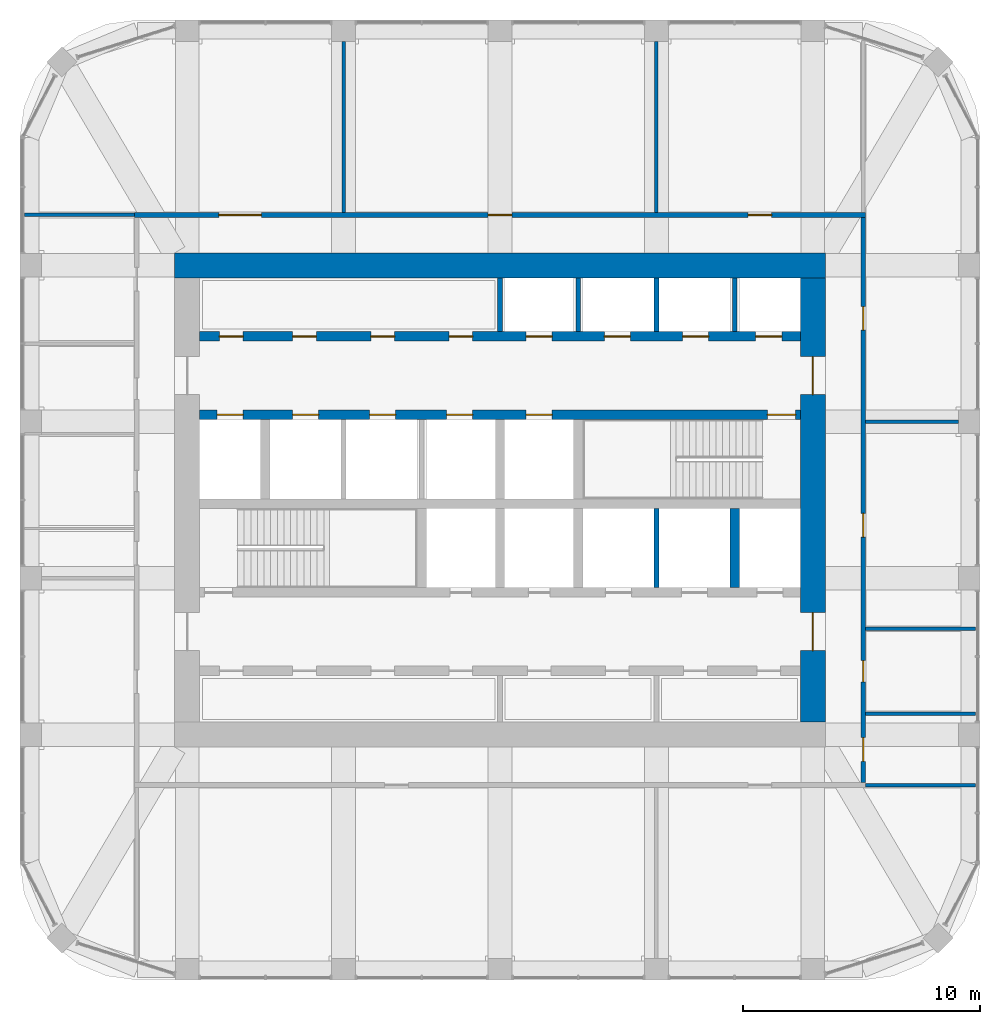
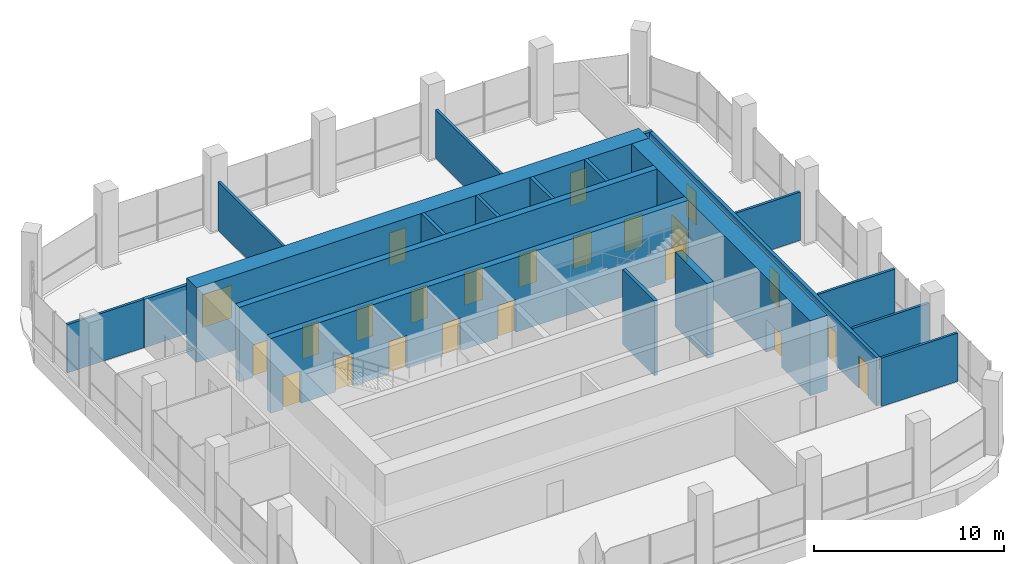
# One storey, part 10 of 13: 23 doors, 19 walls, 23 openings.
"""IFC4 building model written with IfcOpenShell, lengths in metres."""

from ifc_helpers import new_model, si_unit, direction, frame, frame_2d, origin, place, context, subcontext, project, spatial, rectangle, extrude, material, layer, layer_set, type_object, element, fill, save


model = new_model("IFC4")

# Units and contexts
model_context = context("Model", 3, precision=1e-05, world=origin(), true_north=direction((0.0, 1.0)))
body_context = subcontext(model_context, "Body", "Model", "MODEL_VIEW")
ifc_project = project(units=[si_unit("LENGTHUNIT", "METRE"), si_unit("AREAUNIT", "SQUARE_METRE"), si_unit("VOLUMEUNIT", "CUBIC_METRE"), si_unit("PLANEANGLEUNIT", "RADIAN"), si_unit("MASSUNIT", "GRAM", prefix="KILO")], contexts=[model_context])

# Site, building, storey
site_placement = place(None, origin())
site = spatial("IfcSite", under=ifc_project, at=site_placement, CompositionType="ELEMENT")
building_placement = place(site_placement, origin())
building = spatial("IfcBuilding", under=site, at=building_placement, Name="Cobogo Forest Laboratory Tower", CompositionType="ELEMENT")
storey_placement = place(building_placement, frame((0.0, 0.0, 288.0)))
storey = spatial("IfcBuildingStorey", under=building, at=storey_placement, Name="L66", CompositionType="ELEMENT", Elevation=288.0)

# Wall, openings, doors
ifc_material_1 = material(Name="Concrete HA-50 (C50/60)", Category="concrete")
ifc_layer_1 = layer(ifc_material_1, 0.39990234375)
ifc_layer_set_1 = layer_set([ifc_layer_1], Name="CI400 core inner wall 400")
wall_type_1 = type_object("IfcWallType", Name="CI400 core inner wall 400", PredefinedType="SHEAR", material=ifc_layer_set_1)
wall_1_placement = place(storey_placement, frame((13.72509765625, 26.699951171875, 0.0), z_axis=(0.0, 0.0, 1.0), x_axis=(1.0, 0.0, 0.0)))
wall_1 = element("IfcWall", 1, at=wall_1_placement, inside=storey, type_object=wall_type_1, Name="Core wall CI-26.7 L66", PredefinedType="SHEAR", context=body_context, shape_type="SweptSolid", body=[
    extrude(rectangle(XDim=25.349853515625, YDim=0.39990234375, at=frame_2d((12.6748046875, 0.0))), origin(), (0.0, 0.0, 1.0), 4.800048828125),
])
opening_1_placement = place(wall_1_placement, frame((23.949951171875, 0.0, 0.0)))
opening_1 = element("IfcOpeningElement", 2, at=opening_1_placement, cuts=wall_1, Name="Opening L66-D22", PredefinedType="OPENING", context=body_context, shape_type="SweptSolid", body=[
    extrude(rectangle(XDim=1.199951171875, YDim=2.10009765625, at=frame_2d((0.60009765625, 1.050048828125))), frame((0.0, 0.2099609375, 0.0), z_axis=(0.0, -1.0, 0.0), x_axis=(1.0, 0.0, 0.0)), (0.0, 0.0, 1.0), 0.419921875),
])
opening_2_placement = place(wall_1_placement, frame((0.737548828125, 0.0, 0.0)))
opening_2 = element("IfcOpeningElement", 3, at=opening_2_placement, cuts=wall_1, Name="Opening L66-LD-FL1", PredefinedType="OPENING", context=body_context, shape_type="SweptSolid", body=[
    extrude(rectangle(XDim=1.10009765625, YDim=2.10009765625, at=frame_2d((0.550048828125, 1.050048828125))), frame((0.0, 0.2099609375, 0.0), z_axis=(0.0, -1.0, 0.0), x_axis=(1.0, 0.0, 0.0)), (0.0, 0.0, 1.0), 0.419921875),
])
opening_3_placement = place(wall_1_placement, frame((3.925048828125, 0.0, 0.0)))
opening_3 = element("IfcOpeningElement", 4, at=opening_3_placement, cuts=wall_1, Name="Opening L66-LD-LS3", PredefinedType="OPENING", context=body_context, shape_type="SweptSolid", body=[
    extrude(rectangle(XDim=1.10009765625, YDim=2.10009765625, at=frame_2d((0.550048828125, 1.050048828125))), frame((0.0, 0.2099609375, 0.0), z_axis=(0.0, -1.0, 0.0), x_axis=(1.0, 0.0, 0.0)), (0.0, 0.0, 1.0), 0.419921875),
])
opening_4_placement = place(wall_1_placement, frame((7.175048828125, 0.0, 0.0)))
opening_4 = element("IfcOpeningElement", 5, at=opening_4_placement, cuts=wall_1, Name="Opening L66-LD-LS4", PredefinedType="OPENING", context=body_context, shape_type="SweptSolid", body=[
    extrude(rectangle(XDim=1.10009765625, YDim=2.10009765625, at=frame_2d((0.550048828125, 1.050048828125))), frame((0.0, 0.2099609375, 0.0), z_axis=(0.0, -1.0, 0.0), x_axis=(1.0, 0.0, 0.0)), (0.0, 0.0, 1.0), 0.419921875),
])
opening_5_placement = place(wall_1_placement, frame((10.425048828125, 0.0, 0.0)))
opening_5 = element("IfcOpeningElement", 6, at=opening_5_placement, cuts=wall_1, Name="Opening L66-LD-LS5", PredefinedType="OPENING", context=body_context, shape_type="SweptSolid", body=[
    extrude(rectangle(XDim=1.10009765625, YDim=2.10009765625, at=frame_2d((0.550048828125, 1.050048828125))), frame((0.0, 0.2099609375, 0.0), z_axis=(0.0, -1.0, 0.0), x_axis=(1.0, 0.0, 0.0)), (0.0, 0.0, 1.0), 0.419921875),
])
opening_6_placement = place(wall_1_placement, frame((13.77490234375, 0.0, 0.0)))
opening_6 = element("IfcOpeningElement", 7, at=opening_6_placement, cuts=wall_1, Name="Opening L66-LD-LS6", PredefinedType="OPENING", context=body_context, shape_type="SweptSolid", body=[
    extrude(rectangle(XDim=1.10009765625, YDim=2.10009765625, at=frame_2d((0.550048828125, 1.050048828125))), frame((0.0, 0.2099609375, 0.0), z_axis=(0.0, -1.0, 0.0), x_axis=(1.0, 0.0, 0.0)), (0.0, 0.0, 1.0), 0.419921875),
])
ifc_material_2 = material(Name="Steel fire door", Category="steel")
door_type_1 = type_object("IfcDoorType", Name="DS1 protected stair door 1200 EI2 60", OperationType="SINGLE_SWING_LEFT", PredefinedType="DOOR", material=ifc_material_2)
door_1_placement = place(opening_1_placement, origin())
door_1 = element("IfcDoor", 8, at=door_1_placement, inside=storey, type_object=door_type_1, Name="Door L66-ST2", OperationType="SINGLE_SWING_RIGHT", OverallHeight=2.10009765625, OverallWidth=1.199951171875, PredefinedType="DOOR", context=body_context, shape_type="SweptSolid", body=[
    extrude(rectangle(XDim=1.199951171875, YDim=2.10009765625, at=frame_2d((0.60009765625, 1.050048828125))), frame((0.0, 0.02490234375, 0.0), z_axis=(0.0, -1.0, 0.0), x_axis=(1.0, 0.0, 0.0)), (0.0, 0.0, 1.0), 0.050048828125),
])
fill(opening_1, door_1)
ifc_material_3 = material(Name="Stainless steel lift door", Category="steel")
door_type_2 = type_object("IfcDoorType", Name="LD lift landing door 1100", OperationType="DOUBLE_DOOR_SLIDING", PredefinedType="DOOR", material=ifc_material_3)
door_2_placement = place(opening_2_placement, origin())
door_2 = element("IfcDoor", 9, at=door_2_placement, inside=storey, type_object=door_type_2, Name="Lift landing door FL1 L66", OperationType="DOUBLE_DOOR_SLIDING", OverallHeight=2.10009765625, OverallWidth=1.10009765625, PredefinedType="DOOR", context=body_context, shape_type="SweptSolid", body=[
    extrude(rectangle(XDim=1.10009765625, YDim=2.10009765625, at=frame_2d((0.550048828125, 1.050048828125))), frame((0.0, 0.02490234375, 0.0), z_axis=(0.0, -1.0, 0.0), x_axis=(1.0, 0.0, 0.0)), (0.0, 0.0, 1.0), 0.050048828125),
])
fill(opening_2, door_2)
door_3_placement = place(opening_3_placement, origin())
door_3 = element("IfcDoor", 10, at=door_3_placement, inside=storey, type_object=door_type_2, Name="Lift landing door LS3 L66", OperationType="DOUBLE_DOOR_SLIDING", OverallHeight=2.10009765625, OverallWidth=1.10009765625, PredefinedType="DOOR", context=body_context, shape_type="SweptSolid", body=[
    extrude(rectangle(XDim=1.10009765625, YDim=2.10009765625, at=frame_2d((0.550048828125, 1.050048828125))), frame((0.0, 0.02490234375, 0.0), z_axis=(0.0, -1.0, 0.0), x_axis=(1.0, 0.0, 0.0)), (0.0, 0.0, 1.0), 0.050048828125),
])
fill(opening_3, door_3)
door_4_placement = place(opening_4_placement, origin())
door_4 = element("IfcDoor", 11, at=door_4_placement, inside=storey, type_object=door_type_2, Name="Lift landing door LS4 L66", OperationType="DOUBLE_DOOR_SLIDING", OverallHeight=2.10009765625, OverallWidth=1.10009765625, PredefinedType="DOOR", context=body_context, shape_type="SweptSolid", body=[
    extrude(rectangle(XDim=1.10009765625, YDim=2.10009765625, at=frame_2d((0.550048828125, 1.050048828125))), frame((0.0, 0.02490234375, 0.0), z_axis=(0.0, -1.0, 0.0), x_axis=(1.0, 0.0, 0.0)), (0.0, 0.0, 1.0), 0.050048828125),
])
fill(opening_4, door_4)
door_5_placement = place(opening_5_placement, origin())
door_5 = element("IfcDoor", 12, at=door_5_placement, inside=storey, type_object=door_type_2, Name="Lift landing door LS5 L66", OperationType="DOUBLE_DOOR_SLIDING", OverallHeight=2.10009765625, OverallWidth=1.10009765625, PredefinedType="DOOR", context=body_context, shape_type="SweptSolid", body=[
    extrude(rectangle(XDim=1.10009765625, YDim=2.10009765625, at=frame_2d((0.550048828125, 1.050048828125))), frame((0.0, 0.02490234375, 0.0), z_axis=(0.0, -1.0, 0.0), x_axis=(1.0, 0.0, 0.0)), (0.0, 0.0, 1.0), 0.050048828125),
])
fill(opening_5, door_5)
door_6_placement = place(opening_6_placement, origin())
door_6 = element("IfcDoor", 13, at=door_6_placement, inside=storey, type_object=door_type_2, Name="Lift landing door LS6 L66", OperationType="DOUBLE_DOOR_SLIDING", OverallHeight=2.10009765625, OverallWidth=1.10009765625, PredefinedType="DOOR", context=body_context, shape_type="SweptSolid", body=[
    extrude(rectangle(XDim=1.10009765625, YDim=2.10009765625, at=frame_2d((0.550048828125, 1.050048828125))), frame((0.0, 0.02490234375, 0.0), z_axis=(0.0, -1.0, 0.0), x_axis=(1.0, 0.0, 0.0)), (0.0, 0.0, 1.0), 0.050048828125),
])
fill(opening_6, door_6)

wall_2_placement = place(storey_placement, frame((13.72509765625, 30.0, 0.0), z_axis=(0.0, 0.0, 1.0), x_axis=(1.0, 0.0, 0.0)))
wall_2 = element("IfcWall", 14, at=wall_2_placement, inside=storey, type_object=wall_type_1, Name="Core wall CI-30.0 L66", PredefinedType="SHEAR", context=body_context, shape_type="SweptSolid", body=[
    extrude(rectangle(XDim=25.349853515625, YDim=0.39990234375, at=frame_2d((12.6748046875, 0.0))), origin(), (0.0, 0.0, 1.0), 4.800048828125),
])
opening_7_placement = place(wall_2_placement, frame((0.83740234375, 0.0, 0.0)))
opening_7 = element("IfcOpeningElement", 15, at=opening_7_placement, cuts=wall_2, Name="Opening L66-D26", PredefinedType="OPENING", context=body_context, shape_type="SweptSolid", body=[
    extrude(rectangle(XDim=1.0, YDim=2.10009765625, at=frame_2d((0.5, 1.050048828125))), frame((0.0, 0.2099609375, 0.0), z_axis=(0.0, -1.0, 0.0), x_axis=(1.0, 0.0, 0.0)), (0.0, 0.0, 1.0), 0.419921875),
])
opening_8_placement = place(wall_2_placement, frame((3.925048828125, 0.0, 0.0)))
opening_8 = element("IfcOpeningElement", 16, at=opening_8_placement, cuts=wall_2, Name="Opening L66-D27", PredefinedType="OPENING", context=body_context, shape_type="SweptSolid", body=[
    extrude(rectangle(XDim=1.0, YDim=2.10009765625, at=frame_2d((0.5, 1.050048828125))), frame((0.0, 0.2099609375, 0.0), z_axis=(0.0, -1.0, 0.0), x_axis=(1.0, 0.0, 0.0)), (0.0, 0.0, 1.0), 0.419921875),
])
opening_9_placement = place(wall_2_placement, frame((7.22509765625, 0.0, 0.0)))
opening_9 = element("IfcOpeningElement", 17, at=opening_9_placement, cuts=wall_2, Name="Opening L66-D28", PredefinedType="OPENING", context=body_context, shape_type="SweptSolid", body=[
    extrude(rectangle(XDim=1.0, YDim=2.10009765625, at=frame_2d((0.5, 1.050048828125))), frame((0.0, 0.2099609375, 0.0), z_axis=(0.0, -1.0, 0.0), x_axis=(1.0, 0.0, 0.0)), (0.0, 0.0, 1.0), 0.419921875),
])
opening_10_placement = place(wall_2_placement, frame((10.52490234375, 0.0, 0.0)))
opening_10 = element("IfcOpeningElement", 18, at=opening_10_placement, cuts=wall_2, Name="Opening L66-D29", PredefinedType="OPENING", context=body_context, shape_type="SweptSolid", body=[
    extrude(rectangle(XDim=1.0, YDim=2.10009765625, at=frame_2d((0.5, 1.050048828125))), frame((0.0, 0.2099609375, 0.0), z_axis=(0.0, -1.0, 0.0), x_axis=(1.0, 0.0, 0.0)), (0.0, 0.0, 1.0), 0.419921875),
])
opening_11_placement = place(wall_2_placement, frame((13.77490234375, 0.0, 0.0)))
opening_11 = element("IfcOpeningElement", 19, at=opening_11_placement, cuts=wall_2, Name="Opening L66-LD-LD1", PredefinedType="OPENING", context=body_context, shape_type="SweptSolid", body=[
    extrude(rectangle(XDim=1.10009765625, YDim=2.10009765625, at=frame_2d((0.550048828125, 1.050048828125))), frame((0.0, 0.2099609375, 0.0), z_axis=(0.0, -1.0, 0.0), x_axis=(1.0, 0.0, 0.0)), (0.0, 0.0, 1.0), 0.419921875),
])
opening_12_placement = place(wall_2_placement, frame((17.074951171875, 0.0, 0.0)))
opening_12 = element("IfcOpeningElement", 20, at=opening_12_placement, cuts=wall_2, Name="Opening L66-LD-LD2", PredefinedType="OPENING", context=body_context, shape_type="SweptSolid", body=[
    extrude(rectangle(XDim=1.10009765625, YDim=2.10009765625, at=frame_2d((0.550048828125, 1.050048828125))), frame((0.0, 0.2099609375, 0.0), z_axis=(0.0, -1.0, 0.0), x_axis=(1.0, 0.0, 0.0)), (0.0, 0.0, 1.0), 0.419921875),
])
opening_13_placement = place(wall_2_placement, frame((20.375, 0.0, 0.0)))
opening_13 = element("IfcOpeningElement", 21, at=opening_13_placement, cuts=wall_2, Name="Opening L66-LD-LD3", PredefinedType="OPENING", context=body_context, shape_type="SweptSolid", body=[
    extrude(rectangle(XDim=1.10009765625, YDim=2.10009765625, at=frame_2d((0.550048828125, 1.050048828125))), frame((0.0, 0.2099609375, 0.0), z_axis=(0.0, -1.0, 0.0), x_axis=(1.0, 0.0, 0.0)), (0.0, 0.0, 1.0), 0.419921875),
])
opening_14_placement = place(wall_2_placement, frame((23.46240234375, 0.0, 0.0)))
opening_14 = element("IfcOpeningElement", 22, at=opening_14_placement, cuts=wall_2, Name="Opening L66-LD-LD4", PredefinedType="OPENING", context=body_context, shape_type="SweptSolid", body=[
    extrude(rectangle(XDim=1.10009765625, YDim=2.10009765625, at=frame_2d((0.550048828125, 1.050048828125))), frame((0.0, 0.2099609375, 0.0), z_axis=(0.0, -1.0, 0.0), x_axis=(1.0, 0.0, 0.0)), (0.0, 0.0, 1.0), 0.419921875),
])
door_type_3 = type_object("IfcDoorType", Name="FD1 fire door 1000 EI2 60", OperationType="SINGLE_SWING_LEFT", PredefinedType="DOOR", material=ifc_material_2)
door_7_placement = place(opening_7_placement, origin())
door_7 = element("IfcDoor", 23, at=door_7_placement, inside=storey, type_object=door_type_3, Name="Door L66-SH-LC1", OperationType="SINGLE_SWING_LEFT", OverallHeight=2.10009765625, OverallWidth=1.0, PredefinedType="DOOR", context=body_context, shape_type="SweptSolid", body=[
    extrude(rectangle(XDim=1.0, YDim=2.10009765625, at=frame_2d((0.5, 1.050048828125))), frame((0.0, 0.02490234375, 0.0), z_axis=(0.0, -1.0, 0.0), x_axis=(1.0, 0.0, 0.0)), (0.0, 0.0, 1.0), 0.050048828125),
])
fill(opening_7, door_7)
door_8_placement = place(opening_8_placement, origin())
door_8 = element("IfcDoor", 24, at=door_8_placement, inside=storey, type_object=door_type_3, Name="Door L66-SH-LC2", OperationType="SINGLE_SWING_LEFT", OverallHeight=2.10009765625, OverallWidth=1.0, PredefinedType="DOOR", context=body_context, shape_type="SweptSolid", body=[
    extrude(rectangle(XDim=1.0, YDim=2.10009765625, at=frame_2d((0.5, 1.050048828125))), frame((0.0, 0.02490234375, 0.0), z_axis=(0.0, -1.0, 0.0), x_axis=(1.0, 0.0, 0.0)), (0.0, 0.0, 1.0), 0.050048828125),
])
fill(opening_8, door_8)
door_9_placement = place(opening_9_placement, origin())
door_9 = element("IfcDoor", 25, at=door_9_placement, inside=storey, type_object=door_type_3, Name="Door L66-SH-LC3", OperationType="SINGLE_SWING_LEFT", OverallHeight=2.10009765625, OverallWidth=1.0, PredefinedType="DOOR", context=body_context, shape_type="SweptSolid", body=[
    extrude(rectangle(XDim=1.0, YDim=2.10009765625, at=frame_2d((0.5, 1.050048828125))), frame((0.0, 0.02490234375, 0.0), z_axis=(0.0, -1.0, 0.0), x_axis=(1.0, 0.0, 0.0)), (0.0, 0.0, 1.0), 0.050048828125),
])
fill(opening_9, door_9)
door_10_placement = place(opening_10_placement, origin())
door_10 = element("IfcDoor", 26, at=door_10_placement, inside=storey, type_object=door_type_3, Name="Door L66-SH-LC4", OperationType="SINGLE_SWING_LEFT", OverallHeight=2.10009765625, OverallWidth=1.0, PredefinedType="DOOR", context=body_context, shape_type="SweptSolid", body=[
    extrude(rectangle(XDim=1.0, YDim=2.10009765625, at=frame_2d((0.5, 1.050048828125))), frame((0.0, 0.02490234375, 0.0), z_axis=(0.0, -1.0, 0.0), x_axis=(1.0, 0.0, 0.0)), (0.0, 0.0, 1.0), 0.050048828125),
])
fill(opening_10, door_10)
door_11_placement = place(opening_11_placement, origin())
door_11 = element("IfcDoor", 27, at=door_11_placement, inside=storey, type_object=door_type_2, Name="Lift landing door LD1 L66", OperationType="DOUBLE_DOOR_SLIDING", OverallHeight=2.10009765625, OverallWidth=1.10009765625, PredefinedType="DOOR", context=body_context, shape_type="SweptSolid", body=[
    extrude(rectangle(XDim=1.10009765625, YDim=2.10009765625, at=frame_2d((0.550048828125, 1.050048828125))), frame((0.0, 0.02490234375, 0.0), z_axis=(0.0, -1.0, 0.0), x_axis=(1.0, 0.0, 0.0)), (0.0, 0.0, 1.0), 0.050048828125),
])
fill(opening_11, door_11)
door_12_placement = place(opening_12_placement, origin())
door_12 = element("IfcDoor", 28, at=door_12_placement, inside=storey, type_object=door_type_2, Name="Lift landing door LD2 L66", OperationType="DOUBLE_DOOR_SLIDING", OverallHeight=2.10009765625, OverallWidth=1.10009765625, PredefinedType="DOOR", context=body_context, shape_type="SweptSolid", body=[
    extrude(rectangle(XDim=1.10009765625, YDim=2.10009765625, at=frame_2d((0.550048828125, 1.050048828125))), frame((0.0, 0.02490234375, 0.0), z_axis=(0.0, -1.0, 0.0), x_axis=(1.0, 0.0, 0.0)), (0.0, 0.0, 1.0), 0.050048828125),
])
fill(opening_12, door_12)
door_13_placement = place(opening_13_placement, origin())
door_13 = element("IfcDoor", 29, at=door_13_placement, inside=storey, type_object=door_type_2, Name="Lift landing door LD3 L66", OperationType="DOUBLE_DOOR_SLIDING", OverallHeight=2.10009765625, OverallWidth=1.10009765625, PredefinedType="DOOR", context=body_context, shape_type="SweptSolid", body=[
    extrude(rectangle(XDim=1.10009765625, YDim=2.10009765625, at=frame_2d((0.550048828125, 1.050048828125))), frame((0.0, 0.02490234375, 0.0), z_axis=(0.0, -1.0, 0.0), x_axis=(1.0, 0.0, 0.0)), (0.0, 0.0, 1.0), 0.050048828125),
])
fill(opening_13, door_13)
door_14_placement = place(opening_14_placement, origin())
door_14 = element("IfcDoor", 30, at=door_14_placement, inside=storey, type_object=door_type_2, Name="Lift landing door LD4 L66", OperationType="DOUBLE_DOOR_SLIDING", OverallHeight=2.10009765625, OverallWidth=1.10009765625, PredefinedType="DOOR", context=body_context, shape_type="SweptSolid", body=[
    extrude(rectangle(XDim=1.10009765625, YDim=2.10009765625, at=frame_2d((0.550048828125, 1.050048828125))), frame((0.0, 0.02490234375, 0.0), z_axis=(0.0, -1.0, 0.0), x_axis=(1.0, 0.0, 0.0)), (0.0, 0.0, 1.0), 0.050048828125),
])
fill(opening_14, door_14)

# Wall
wall_3_placement = place(storey_placement, frame((36.300048828125, 19.39990234375, 0.0), z_axis=(0.0, 0.0, 1.0), x_axis=(0.0, 1.0, 0.0)))
element("IfcWall", 31, at=wall_3_placement, inside=storey, type_object=wall_type_1, Name="Core wall CX-36.3 L66", PredefinedType="SHEAR", context=body_context, shape_type="SweptSolid", body=[
    extrude(rectangle(XDim=3.35009765625, YDim=0.39990234375, at=frame_2d((1.675048828125, 0.0))), origin(), (0.0, 0.0, 1.0), 4.800048828125),
])

# Wall, openings, doors
ifc_layer_2 = layer(ifc_material_1, 1.050048828125)
ifc_layer_set_2 = layer_set([ifc_layer_2], Name="CW1050 core outer wall 1050")
wall_type_2 = type_object("IfcWallType", Name="CW1050 core outer wall 1050", PredefinedType="SHEAR", material=ifc_layer_set_2)
wall_4_placement = place(storey_placement, frame((39.60009765625, 13.72509765625, 0.0), z_axis=(0.0, 0.0, 1.0), x_axis=(0.0, 1.0, 0.0)))
wall_4 = element("IfcWall", 32, at=wall_4_placement, inside=storey, type_object=wall_type_2, Name="Core wall CO-E L66", PredefinedType="SHEAR", context=body_context, shape_type="SweptSolid", body=[
    extrude(rectangle(XDim=18.75, YDim=1.050048828125, at=frame_2d((9.375, 0.0))), origin(), (0.0, 0.0, 1.0), 4.800048828125),
])
opening_15_placement = place(wall_4_placement, frame((3.02490234375, 0.0, 0.0)))
opening_15 = element("IfcOpeningElement", 33, at=opening_15_placement, cuts=wall_4, Name="Opening L66-D15", PredefinedType="OPENING", context=body_context, shape_type="SweptSolid", body=[
    extrude(rectangle(XDim=1.60009765625, YDim=2.10009765625, at=frame_2d((0.800048828125, 1.050048828125))), frame((0.0, 0.534912109375, 0.0), z_axis=(0.0, -1.0, 0.0), x_axis=(1.0, 0.0, 0.0)), (0.0, 0.0, 1.0), 1.070068359375),
])
opening_16_placement = place(wall_4_placement, frame((13.824951171875, 0.0, 0.0)))
opening_16 = element("IfcOpeningElement", 34, at=opening_16_placement, cuts=wall_4, Name="Opening L66-D25", PredefinedType="OPENING", context=body_context, shape_type="SweptSolid", body=[
    extrude(rectangle(XDim=1.60009765625, YDim=2.10009765625, at=frame_2d((0.800048828125, 1.050048828125))), frame((0.0, 0.534912109375, 0.0), z_axis=(0.0, -1.0, 0.0), x_axis=(1.0, 0.0, 0.0)), (0.0, 0.0, 1.0), 1.070068359375),
])
door_type_4 = type_object("IfcDoorType", Name="DS2 protected lobby door pair 1600 EI2 60", OperationType="DOUBLE_DOOR_DOUBLE_SWING", PredefinedType="DOOR", material=ifc_material_2)
door_15_placement = place(opening_15_placement, origin())
door_15 = element("IfcDoor", 35, at=door_15_placement, inside=storey, type_object=door_type_4, Name="Door L66-CO-E-S", OperationType="DOUBLE_DOOR_DOUBLE_SWING", OverallHeight=2.10009765625, OverallWidth=1.60009765625, PredefinedType="DOOR", context=body_context, shape_type="SweptSolid", body=[
    extrude(rectangle(XDim=1.60009765625, YDim=2.10009765625, at=frame_2d((0.800048828125, 1.050048828125))), frame((0.0, 0.02490234375, 0.0), z_axis=(0.0, -1.0, 0.0), x_axis=(1.0, 0.0, 0.0)), (0.0, 0.0, 1.0), 0.050048828125),
])
fill(opening_15, door_15)
door_16_placement = place(opening_16_placement, origin())
door_16 = element("IfcDoor", 36, at=door_16_placement, inside=storey, type_object=door_type_4, Name="Door L66-CO-E-N", OperationType="DOUBLE_DOOR_DOUBLE_SWING", OverallHeight=2.10009765625, OverallWidth=1.60009765625, PredefinedType="DOOR", context=body_context, shape_type="SweptSolid", body=[
    extrude(rectangle(XDim=1.60009765625, YDim=2.10009765625, at=frame_2d((0.800048828125, 1.050048828125))), frame((0.0, 0.02490234375, 0.0), z_axis=(0.0, -1.0, 0.0), x_axis=(1.0, 0.0, 0.0)), (0.0, 0.0, 1.0), 0.050048828125),
])
fill(opening_16, door_16)

# Walls
wall_5_placement = place(storey_placement, frame((40.125, 33.0, 0.0), z_axis=(0.0, 0.0, 1.0), x_axis=(-1.0, 0.0, 0.0)))
element("IfcWall", 37, at=wall_5_placement, inside=storey, type_object=wall_type_2, Name="Core wall CO-N L66", PredefinedType="SHEAR", context=body_context, shape_type="SweptSolid", body=[
    extrude(rectangle(XDim=27.449951171875, YDim=1.050048828125, at=frame_2d((13.72509765625, 0.0))), origin(), (0.0, 0.0, 1.0), 4.800048828125),
])
ifc_material_4 = material(Name="Gypsum board on steel studs", Category="steel")
ifc_layer_3 = layer(ifc_material_4, 0.14990234375)
ifc_layer_set_3 = layer_set([ifc_layer_3], Name="PT1 laboratory partition 150")
wall_type_3 = type_object("IfcWallType", Name="PT1 laboratory partition 150", PredefinedType="PARTITIONING", material=ifc_layer_set_3)
for number, where, z_axis, x_axis, name in (
    (38, (46.469970703125, 11.074951171875, 0.0), (0.0, 0.0, 1.0), (-1.0, 0.0, 0.0), "Partition PW-SE L66"),
    (39, (6.330078125, 35.125, 0.0), (0.0, 0.0, 1.0), (1.0, 0.0, 0.0), "Partition PW-NW L66"),
):
    element("IfcWall", number, at=place(storey_placement, frame(where, z_axis=z_axis, x_axis=x_axis)), inside=storey, type_object=wall_type_3, Name=name, PredefinedType="PARTITIONING", context=body_context, shape_type="SweptSolid", body=[
        extrude(rectangle(XDim=4.64501953125, YDim=0.14990234375, at=frame_2d((2.322509765625, 0.0))), origin(), (0.0, 0.0, 1.0), 3.10009765625),
    ])
for number, where, z_axis, x_axis, name in (
    (40, (46.469970703125, 14.074951171875, 0.0), (0.0, 0.0, 1.0), (-1.0, 0.0, 0.0), "Partition SVC-E1-1 L66"),
    (41, (46.469970703125, 17.675048828125, 0.0), (0.0, 0.0, 1.0), (-1.0, 0.0, 0.0), "Partition SVC-E2-1 L66"),
):
    element("IfcWall", number, at=place(storey_placement, frame(where, z_axis=z_axis, x_axis=x_axis)), inside=storey, type_object=wall_type_3, Name=name, PredefinedType="PARTITIONING", context=body_context, shape_type="SweptSolid", body=[
        extrude(rectangle(XDim=4.64501953125, YDim=0.14990234375, at=frame_2d((2.322509765625, 0.0))), origin(), (0.0, 0.0, 1.0), 3.199951171875),
    ])
wall_6_placement = place(storey_placement, frame((45.75, 26.39990234375, 0.0), z_axis=(0.0, 0.0, 1.0), x_axis=(-1.0, 0.0, 0.0)))
element("IfcWall", 42, at=wall_6_placement, inside=storey, type_object=wall_type_3, Name="Partition CUT-E26.4-1 L66", PredefinedType="PARTITIONING", context=body_context, shape_type="SweptSolid", body=[
    extrude(rectangle(XDim=3.925048828125, YDim=0.14990234375, at=frame_2d((1.96240234375, 0.0))), origin(), (0.0, 0.0, 1.0), 3.10009765625),
])
for number, where, z_axis, x_axis, name in (
    (43, (19.800048828125, 42.449951171875, 0.0), (0.0, 0.0, 1.0), (0.0, -1.0, 0.0), "Partition CUT-N19.8-1 L66"),
    (44, (33.0, 42.449951171875, 0.0), (0.0, 0.0, 1.0), (0.0, -1.0, 0.0), "Partition CUT-N33-1 L66"),
):
    element("IfcWall", number, at=place(storey_placement, frame(where, z_axis=z_axis, x_axis=x_axis)), inside=storey, type_object=wall_type_3, Name=name, PredefinedType="PARTITIONING", context=body_context, shape_type="SweptSolid", body=[
        extrude(rectangle(XDim=7.224853515625, YDim=0.14990234375, at=frame_2d((3.6123046875, 0.0))), origin(), (0.0, 0.0, 1.0), 3.10009765625),
    ])

# Wall, openings, doors
ifc_layer_4 = layer(ifc_material_4, 0.199951171875)
ifc_layer_set_4 = layer_set([ifc_layer_4], Name="PT2 fire-rated corridor partition 200")
wall_type_4 = type_object("IfcWallType", Name="PT2 fire-rated corridor partition 200", PredefinedType="PARTITIONING", material=ifc_layer_set_4)
wall_7_placement = place(storey_placement, frame((10.97509765625, 35.125, 0.0), z_axis=(0.0, 0.0, 1.0), x_axis=(1.0, 0.0, 0.0)))
wall_7 = element("IfcWall", 45, at=wall_7_placement, inside=storey, type_object=wall_type_4, Name="Partition CORR-N L66", PredefinedType="PARTITIONING", context=body_context, shape_type="SweptSolid", body=[
    extrude(rectangle(XDim=30.849853515625, YDim=0.199951171875, at=frame_2d((15.4248046875, 0.0))), origin(), (0.0, 0.0, 1.0), 3.10009765625),
])
opening_17_placement = place(wall_7_placement, frame((3.5625, 0.0, 0.0)))
opening_17 = element("IfcOpeningElement", 46, at=opening_17_placement, cuts=wall_7, Name="Opening L66-D32", PredefinedType="OPENING", context=body_context, shape_type="SweptSolid", body=[
    extrude(rectangle(XDim=1.800048828125, YDim=2.10009765625, at=frame_2d((0.89990234375, 1.050048828125))), frame((0.0, 0.10986328125, 0.0), z_axis=(0.0, -1.0, 0.0), x_axis=(1.0, 0.0, 0.0)), (0.0, 0.0, 1.0), 0.219970703125),
])
opening_18_placement = place(wall_7_placement, frame((14.925048828125, 0.0, 0.0)))
opening_18 = element("IfcOpeningElement", 47, at=opening_18_placement, cuts=wall_7, Name="Opening L66-D33", PredefinedType="OPENING", context=body_context, shape_type="SweptSolid", body=[
    extrude(rectangle(XDim=1.0, YDim=2.10009765625, at=frame_2d((0.5, 1.050048828125))), frame((0.0, 0.10986328125, 0.0), z_axis=(0.0, -1.0, 0.0), x_axis=(1.0, 0.0, 0.0)), (0.0, 0.0, 1.0), 0.219970703125),
])
opening_19_placement = place(wall_7_placement, frame((25.887451171875, 0.0, 0.0)))
opening_19 = element("IfcOpeningElement", 48, at=opening_19_placement, cuts=wall_7, Name="Opening L66-D34", PredefinedType="OPENING", context=body_context, shape_type="SweptSolid", body=[
    extrude(rectangle(XDim=1.0, YDim=2.10009765625, at=frame_2d((0.5, 1.050048828125))), frame((0.0, 0.10986328125, 0.0), z_axis=(0.0, -1.0, 0.0), x_axis=(1.0, 0.0, 0.0)), (0.0, 0.0, 1.0), 0.219970703125),
])
ifc_material_5 = material(Name="Timber fire door", Category="wood")
door_type_5 = type_object("IfcDoorType", Name="FD2 fire door 1000 EI2 30", OperationType="SINGLE_SWING_LEFT", PredefinedType="DOOR", material=ifc_material_5)
door_17_placement = place(opening_18_placement, origin())
door_17 = element("IfcDoor", 49, at=door_17_placement, inside=storey, type_object=door_type_5, Name="Door L66-N2", OperationType="SINGLE_SWING_LEFT", OverallHeight=2.10009765625, OverallWidth=1.0, PredefinedType="DOOR", context=body_context, shape_type="SweptSolid", body=[
    extrude(rectangle(XDim=1.0, YDim=2.10009765625, at=frame_2d((0.5, 1.050048828125))), frame((0.0, 0.02490234375, 0.0), z_axis=(0.0, -1.0, 0.0), x_axis=(1.0, 0.0, 0.0)), (0.0, 0.0, 1.0), 0.050048828125),
])
fill(opening_18, door_17)
door_18_placement = place(opening_19_placement, origin())
door_18 = element("IfcDoor", 50, at=door_18_placement, inside=storey, type_object=door_type_5, Name="Door L66-N3", OperationType="SINGLE_SWING_RIGHT", OverallHeight=2.10009765625, OverallWidth=1.0, PredefinedType="DOOR", context=body_context, shape_type="SweptSolid", body=[
    extrude(rectangle(XDim=1.0, YDim=2.10009765625, at=frame_2d((0.5, 1.050048828125))), frame((0.0, 0.02490234375, 0.0), z_axis=(0.0, -1.0, 0.0), x_axis=(1.0, 0.0, 0.0)), (0.0, 0.0, 1.0), 0.050048828125),
])
fill(opening_19, door_18)
door_type_6 = type_object("IfcDoorType", Name="FD5 assembly room fire door pair 1800 EI2 30", OperationType="DOUBLE_DOOR_DOUBLE_SWING", PredefinedType="DOOR", material=ifc_material_5)
door_19_placement = place(opening_17_placement, origin())
door_19 = element("IfcDoor", 51, at=door_19_placement, inside=storey, type_object=door_type_6, Name="Door L66-N1", OperationType="DOUBLE_DOOR_DOUBLE_SWING", OverallHeight=2.10009765625, OverallWidth=1.800048828125, PredefinedType="DOOR", context=body_context, shape_type="SweptSolid", body=[
    extrude(rectangle(XDim=1.800048828125, YDim=2.10009765625, at=frame_2d((0.89990234375, 1.050048828125))), frame((0.0, 0.02490234375, 0.0), z_axis=(0.0, -1.0, 0.0), x_axis=(1.0, 0.0, 0.0)), (0.0, 0.0, 1.0), 0.050048828125),
])
fill(opening_17, door_19)

wall_8_placement = place(storey_placement, frame((41.72509765625, 11.175048828125, 0.0), z_axis=(0.0, 0.0, 1.0), x_axis=(0.0, 1.0, 0.0)))
wall_8 = element("IfcWall", 52, at=wall_8_placement, inside=storey, type_object=wall_type_4, Name="Partition CORR-E L66", PredefinedType="PARTITIONING", context=body_context, shape_type="SweptSolid", body=[
    extrude(rectangle(XDim=23.849853515625, YDim=0.199951171875, at=frame_2d((11.9248046875, 0.0))), origin(), (0.0, 0.0, 1.0), 3.10009765625),
])
opening_20_placement = place(wall_8_placement, frame((0.89990234375, 0.0, 0.0)))
opening_20 = element("IfcOpeningElement", 53, at=opening_20_placement, cuts=wall_8, Name="Opening L66-D03", PredefinedType="OPENING", context=body_context, shape_type="SweptSolid", body=[
    extrude(rectangle(XDim=1.0, YDim=2.10009765625, at=frame_2d((0.5, 1.050048828125))), frame((0.0, 0.10986328125, 0.0), z_axis=(0.0, -1.0, 0.0), x_axis=(1.0, 0.0, 0.0)), (0.0, 0.0, 1.0), 0.219970703125),
])
opening_21_placement = place(wall_8_placement, frame((4.25, 0.0, 0.0)))
opening_21 = element("IfcOpeningElement", 54, at=opening_21_placement, cuts=wall_8, Name="Opening L66-D05", PredefinedType="OPENING", context=body_context, shape_type="SweptSolid", body=[
    extrude(rectangle(XDim=0.89990234375, YDim=2.10009765625, at=frame_2d((0.449951171875, 1.050048828125))), frame((0.0, 0.10986328125, 0.0), z_axis=(0.0, -1.0, 0.0), x_axis=(1.0, 0.0, 0.0)), (0.0, 0.0, 1.0), 0.219970703125),
])
opening_22_placement = place(wall_8_placement, frame((10.362548828125, 0.0, 0.0)))
opening_22 = element("IfcOpeningElement", 55, at=opening_22_placement, cuts=wall_8, Name="Opening L66-D20", PredefinedType="OPENING", context=body_context, shape_type="SweptSolid", body=[
    extrude(rectangle(XDim=1.0, YDim=2.10009765625, at=frame_2d((0.5, 1.050048828125))), frame((0.0, 0.10986328125, 0.0), z_axis=(0.0, -1.0, 0.0), x_axis=(1.0, 0.0, 0.0)), (0.0, 0.0, 1.0), 0.219970703125),
])
opening_23_placement = place(wall_8_placement, frame((19.08740234375, 0.0, 0.0)))
opening_23 = element("IfcOpeningElement", 56, at=opening_23_placement, cuts=wall_8, Name="Opening L66-D30", PredefinedType="OPENING", context=body_context, shape_type="SweptSolid", body=[
    extrude(rectangle(XDim=1.0, YDim=2.10009765625, at=frame_2d((0.5, 1.050048828125))), frame((0.0, 0.10986328125, 0.0), z_axis=(0.0, -1.0, 0.0), x_axis=(1.0, 0.0, 0.0)), (0.0, 0.0, 1.0), 0.219970703125),
])
door_20_placement = place(opening_20_placement, origin())
door_20 = element("IfcDoor", 57, at=door_20_placement, inside=storey, type_object=door_type_3, Name="Door L66-ELEC", OperationType="SINGLE_SWING_LEFT", OverallHeight=2.10009765625, OverallWidth=1.0, PredefinedType="DOOR", context=body_context, shape_type="SweptSolid", body=[
    extrude(rectangle(XDim=1.0, YDim=2.10009765625, at=frame_2d((0.5, 1.050048828125))), frame((0.0, 0.02490234375, 0.0), z_axis=(0.0, -1.0, 0.0), x_axis=(1.0, 0.0, 0.0)), (0.0, 0.0, 1.0), 0.050048828125),
])
fill(opening_20, door_20)
door_21_placement = place(opening_22_placement, origin())
door_21 = element("IfcDoor", 58, at=door_21_placement, inside=storey, type_object=door_type_5, Name="Door L66-E1", OperationType="SINGLE_SWING_LEFT", OverallHeight=2.10009765625, OverallWidth=1.0, PredefinedType="DOOR", context=body_context, shape_type="SweptSolid", body=[
    extrude(rectangle(XDim=1.0, YDim=2.10009765625, at=frame_2d((0.5, 1.050048828125))), frame((0.0, 0.02490234375, 0.0), z_axis=(0.0, -1.0, 0.0), x_axis=(1.0, 0.0, 0.0)), (0.0, 0.0, 1.0), 0.050048828125),
])
fill(opening_22, door_21)
door_22_placement = place(opening_23_placement, origin())
door_22 = element("IfcDoor", 59, at=door_22_placement, inside=storey, type_object=door_type_5, Name="Door L66-E2", OperationType="SINGLE_SWING_RIGHT", OverallHeight=2.10009765625, OverallWidth=1.0, PredefinedType="DOOR", context=body_context, shape_type="SweptSolid", body=[
    extrude(rectangle(XDim=1.0, YDim=2.10009765625, at=frame_2d((0.5, 1.050048828125))), frame((0.0, 0.02490234375, 0.0), z_axis=(0.0, -1.0, 0.0), x_axis=(1.0, 0.0, 0.0)), (0.0, 0.0, 1.0), 0.050048828125),
])
fill(opening_23, door_22)
door_type_7 = type_object("IfcDoorType", Name="FD4 riser access door 900 EI2 60", OperationType="SINGLE_SWING_LEFT", PredefinedType="DOOR", material=ifc_material_2)
door_23_placement = place(opening_21_placement, origin())
door_23 = element("IfcDoor", 60, at=door_23_placement, inside=storey, type_object=door_type_7, Name="Door L66-COMMS", OperationType="SINGLE_SWING_LEFT", OverallHeight=2.10009765625, OverallWidth=0.89990234375, PredefinedType="DOOR", context=body_context, shape_type="SweptSolid", body=[
    extrude(rectangle(XDim=0.89990234375, YDim=2.10009765625, at=frame_2d((0.449951171875, 1.050048828125))), frame((0.0, 0.02490234375, 0.0), z_axis=(0.0, -1.0, 0.0), x_axis=(1.0, 0.0, 0.0)), (0.0, 0.0, 1.0), 0.050048828125),
])
fill(opening_21, door_23)

# Walls
ifc_material_6 = material(Name="Concrete block", Category="concrete")
ifc_layer_5 = layer(ifc_material_6, 0.199951171875)
ifc_layer_set_5 = layer_set([ifc_layer_5], Name="SW200 lift shaft separator 200")
wall_type_5 = type_object("IfcWallType", Name="SW200 lift shaft separator 200", PredefinedType="PARTITIONING", material=ifc_layer_set_5)
for number, where, z_axis, x_axis, name in (
    (61, (26.39990234375, 30.199951171875, 0.0), (0.0, 0.0, 1.0), (0.0, 1.0, 0.0), "Core wall SEP-N4 L66"),
    (62, (29.699951171875, 30.199951171875, 0.0), (0.0, 0.0, 1.0), (0.0, 1.0, 0.0), "Core wall SEP-N5 L66"),
    (63, (33.0, 30.199951171875, 0.0), (0.0, 0.0, 1.0), (0.0, 1.0, 0.0), "Core wall SEP-N6 L66"),
    (64, (36.300048828125, 30.199951171875, 0.0), (0.0, 0.0, 1.0), (0.0, 1.0, 0.0), "Core wall SEP-N7 L66"),
):
    element("IfcWall", number, at=place(storey_placement, frame(where, z_axis=z_axis, x_axis=x_axis)), inside=storey, type_object=wall_type_5, Name=name, PredefinedType="PARTITIONING", context=body_context, shape_type="SweptSolid", body=[
        extrude(rectangle(XDim=2.275146484375, YDim=0.199951171875, at=frame_2d((1.1376953125, 0.0))), origin(), (0.0, 0.0, 1.0), 4.800048828125),
    ])
wall_9_placement = place(storey_placement, frame((33.0, 19.39990234375, 0.0), z_axis=(0.0, 0.0, 1.0), x_axis=(0.0, 1.0, 0.0)))
element("IfcWall", 65, at=wall_9_placement, inside=storey, type_object=wall_type_5, Name="Core wall SEP-M33.0 L66", PredefinedType="PARTITIONING", context=body_context, shape_type="SweptSolid", body=[
    extrude(rectangle(XDim=3.35009765625, YDim=0.199951171875, at=frame_2d((1.675048828125, 0.0))), origin(), (0.0, 0.0, 1.0), 4.800048828125),
])

save(model, "model.ifc")
